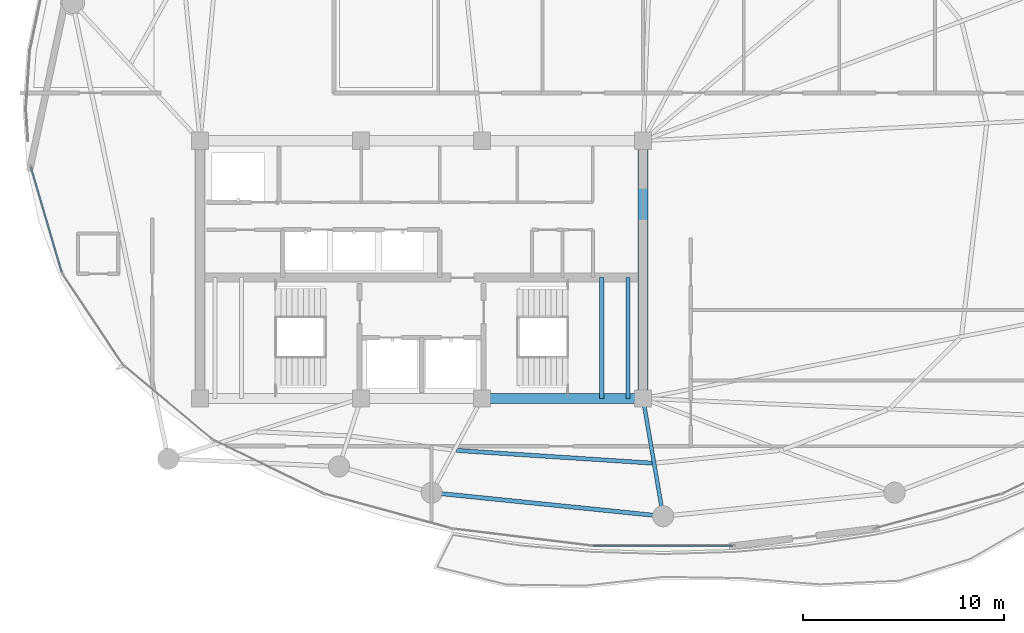
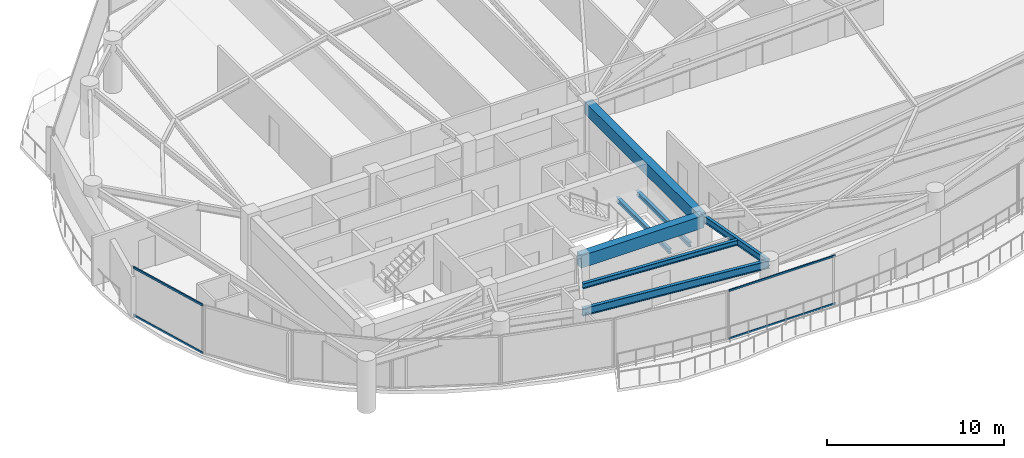
# One storey, part 6 of 28: 7 beams, 4 members, 2 elements without a shape of their own.
"""IFC4 building model written with IfcOpenShell, lengths in metres."""

from ifc_helpers import new_model, si_unit, direction, frame, origin, origin_2d, place, context, subcontext, project, spatial, rectangle, hollow_rectangle, i_section, extrude, material, layer, layer_set, material_profile, profile_set, type_object, element, aggregate, save


model = new_model("IFC4")

# Units and contexts
model_context = context("Model", 3, precision=1e-05, world=origin(), true_north=direction((0.0, 1.0)))
body_context = subcontext(model_context, "Body", "Model", "MODEL_VIEW")
ifc_project = project(units=[si_unit("LENGTHUNIT", "METRE"), si_unit("AREAUNIT", "SQUARE_METRE"), si_unit("VOLUMEUNIT", "CUBIC_METRE"), si_unit("PLANEANGLEUNIT", "RADIAN"), si_unit("MASSUNIT", "GRAM", prefix="KILO")], contexts=[model_context])

# Site, building, storey
site_placement = place(None, origin())
site = spatial("IfcSite", under=ifc_project, at=site_placement, CompositionType="ELEMENT")
building_placement = place(site_placement, origin())
building = spatial("IfcBuilding", under=site, at=building_placement, Name="Kazevale Care Tower and Concert Hall", CompositionType="ELEMENT")
storey_placement = place(building_placement, frame((0.0, 0.0, 231.60009765625)))
storey = spatial("IfcBuildingStorey", under=building, at=storey_placement, Name="L61", CompositionType="ELEMENT", Elevation=231.60009765625)

# Curtain wall, members
ifc_material_1 = material(Name="Aluminium 6063-T6 and Low-E Glass", Category="aluminium")
ifc_layer_1 = layer(ifc_material_1, 0.179931640625)
ifc_layer_set_1 = layer_set([ifc_layer_1], Name="Aluminium 6063-T6 and Low-E Glass")
curtain_wall_type_1 = type_object("IfcCurtainWallType", Name="Waist & Upper Residential Curtain Wall CW-4", PredefinedType="NOTDEFINED", material=ifc_layer_set_1)
curtain_wall_1_placement = place(storey_placement, origin())
curtain_wall_1 = element("IfcCurtainWall", 1, at=curtain_wall_1_placement, inside=storey, type_object=curtain_wall_type_1, Name="cw:L61:f12", PredefinedType="NOTDEFINED")
ifc_material_2 = material(Name="Aluminium 6063-T6", Category="aluminium")
ifc_material_profile_1 = material_profile(ifc_material_2, hollow_rectangle(XDim=0.080078125, YDim=0.139892578125, WallThickness=0.00390625, at=origin_2d()), Name="ALU80x140x4")
ifc_profile_set_1 = profile_set([ifc_material_profile_1], Name="Aluminium 6063-T6")
member_type_1 = type_object("IfcMemberType", Name="CW-4 Transom ALU80x140x4", PredefinedType="USERDEFINED", material=ifc_profile_set_1)
member_1_placement = place(storey_placement, frame((15.12548828125, 29.897705078125, 0.039794921875), z_axis=(-0.282102705943, 0.95938421047, 0.0), x_axis=(-0.95938421047, -0.282102705943, 0.0)))
member_1 = element("IfcMember", 2, at=member_1_placement, type_object=member_type_1, Name="CW-4 transom 1.1", ObjectType="TRANSOM", PredefinedType="USERDEFINED", context=body_context, shape_type="SweptSolid", body=[
    extrude(hollow_rectangle(XDim=0.080078125, YDim=0.139892578125, WallThickness=0.00390625, at=origin_2d()), origin(), (0.0, 0.0, 1.0), 5.402099609375),
])
member_2_placement = place(storey_placement, frame((15.12548828125, 29.897705078125, 3.31982421875), z_axis=(-0.282102705943, 0.95938421047, 0.0), x_axis=(-0.95938421047, -0.282102705943, 0.0)))
member_2 = element("IfcMember", 3, at=member_2_placement, type_object=member_type_1, Name="CW-4 transom 1.2", ObjectType="TRANSOM", PredefinedType="USERDEFINED", context=body_context, shape_type="SweptSolid", body=[
    extrude(hollow_rectangle(XDim=0.080078125, YDim=0.139892578125, WallThickness=0.00390625, at=origin_2d()), origin(), (0.0, 0.0, 1.0), 5.402099609375),
])
aggregate(curtain_wall_1, [member_1, member_2])

ifc_layer_2 = layer(ifc_material_1, 0.179931640625)
ifc_layer_set_2 = layer_set([ifc_layer_2], Name="Aluminium 6063-T6 and Low-E Glass")
curtain_wall_type_2 = type_object("IfcCurtainWallType", Name="Sheltered Concave Balcony Curtain Wall CW-5", PredefinedType="NOTDEFINED", material=ifc_layer_set_2)
curtain_wall_2_placement = place(storey_placement, origin())
curtain_wall_2 = element("IfcCurtainWall", 4, at=curtain_wall_2_placement, inside=storey, type_object=curtain_wall_type_2, Name="cw:L61:f06", PredefinedType="NOTDEFINED")
ifc_material_profile_2 = material_profile(ifc_material_2, hollow_rectangle(XDim=0.074951171875, YDim=0.1201171875, WallThickness=0.00390625, at=origin_2d()), Name="ALU75x120x4")
ifc_profile_set_2 = profile_set([ifc_material_profile_2], Name="Aluminium 6063-T6")
member_type_2 = type_object("IfcMemberType", Name="CW-5 Transom ALU75x120x4", PredefinedType="USERDEFINED", material=ifc_profile_set_2)
member_3_placement = place(storey_placement, frame((48.47509765625, 16.284912109375, 0.037353515625), z_axis=(-1.0, 0.0, 0.0), x_axis=(0.0, -1.0, 0.0)))
member_3 = element("IfcMember", 5, at=member_3_placement, type_object=member_type_2, Name="CW-5 transom 1.1", ObjectType="TRANSOM", PredefinedType="USERDEFINED", context=body_context, shape_type="SweptSolid", body=[
    extrude(hollow_rectangle(XDim=0.074951171875, YDim=0.1201171875, WallThickness=0.00390625, at=origin_2d()), origin(), (0.0, 0.0, 1.0), 6.9501953125),
])
member_4_placement = place(storey_placement, frame((48.47509765625, 16.284912109375, 3.322509765625), z_axis=(-1.0, 0.0, 0.0), x_axis=(0.0, -1.0, 0.0)))
member_4 = element("IfcMember", 6, at=member_4_placement, type_object=member_type_2, Name="CW-5 transom 1.2", ObjectType="TRANSOM", PredefinedType="USERDEFINED", context=body_context, shape_type="SweptSolid", body=[
    extrude(hollow_rectangle(XDim=0.074951171875, YDim=0.1201171875, WallThickness=0.00390625, at=origin_2d()), origin(), (0.0, 0.0, 1.0), 6.9501953125),
])
aggregate(curtain_wall_2, [member_3, member_4])

# Beams
ifc_material_3 = material(Name="Concrete C60", Category="concrete")
ifc_material_profile_3 = material_profile(ifc_material_3, rectangle(XDim=0.5, YDim=0.85009765625, at=origin_2d()), Name="RC-B500x850")
ifc_profile_set_3 = profile_set([ifc_material_profile_3], Name="Concrete C60")
beam_type_1 = type_object("IfcBeamType", Name="Core Coupling Beam RC500x850", PredefinedType="LINTEL", material=ifc_profile_set_3)
beam_1_placement = place(storey_placement, frame((36.0, 23.60009765625, 2.934814453125), z_axis=(1.0, 0.0, 0.0), x_axis=(0.0, 1.0, 0.0)))
element("IfcBeam", 7, at=beam_1_placement, inside=storey, type_object=beam_type_1, Name="beam:L61:coretie:3", PredefinedType="LINTEL", context=body_context, shape_type="SweptSolid", body=[
    extrude(rectangle(XDim=0.5, YDim=0.85009765625, at=origin_2d()), origin(), (0.0, 0.0, 1.0), 8.0),
])
beam_2_placement = place(storey_placement, frame((44.0, 23.60009765625, 2.934814453125), z_axis=(0.0, 1.0, 0.0), x_axis=(-1.0, 0.0, 0.0)))
element("IfcBeam", 8, at=beam_2_placement, inside=storey, type_object=beam_type_1, Name="beam:L61:coretie:4", PredefinedType="LINTEL", context=body_context, shape_type="SweptSolid", body=[
    extrude(rectangle(XDim=0.5, YDim=0.85009765625, at=origin_2d()), origin(), (0.0, 0.0, 1.0), 12.7998046875),
])
ifc_material_4 = material(Name="Steel ASTM A572 Gr 50", Category="steel")
ifc_material_profile_4 = material_profile(ifc_material_4, i_section(OverallWidth=0.19091796875, OverallDepth=0.4599609375, WebThickness=0.010009765625, FlangeThickness=0.01611328125, at=origin_2d()), Name="W460x82")
ifc_profile_set_4 = profile_set([ifc_material_profile_4], Name="Steel ASTM A572 Gr 50")
beam_type_2 = type_object("IfcBeamType", Name="Radial Floor Beam W460x82", PredefinedType="BEAM", material=ifc_profile_set_4)
beam_3_placement = place(storey_placement, frame((44.0, 23.60009765625, 3.1298828125), z_axis=(0.168493389607, -0.985702783631, 0.0), x_axis=(0.985702783631, 0.168493389607, 0.0)))
element("IfcBeam", 9, at=beam_3_placement, inside=storey, type_object=beam_type_2, Name="beam:L61:rad:13", PredefinedType="BEAM", context=body_context, shape_type="SweptSolid", body=[
    extrude(i_section(OverallWidth=0.19091796875, OverallDepth=0.4599609375, WebThickness=0.010009765625, FlangeThickness=0.01611328125, at=origin_2d()), origin(), (0.0, 0.0, 1.0), 5.93505859375),
])
ifc_material_profile_5 = material_profile(ifc_material_4, i_section(OverallWidth=0.205078125, OverallDepth=0.35400390625, WebThickness=0.009521484375, FlangeThickness=0.016845703125, at=origin_2d()), Name="W360x79")
ifc_profile_set_5 = profile_set([ifc_material_profile_5], Name="Steel ASTM A572 Gr 50")
beam_type_3 = type_object("IfcBeamType", Name="Secondary Floor Joist W360x79", PredefinedType="JOIST", material=ifc_profile_set_5)
beam_4_placement = place(storey_placement, frame((34.72998046875, 21.01904296875, 3.182861328125), z_axis=(0.997903161374, -0.064724651559, 0.0), x_axis=(0.064724651559, 0.997903161374, 0.0)))
element("IfcBeam", 10, at=beam_4_placement, inside=storey, type_object=beam_type_3, Name="beam:L61:joist:12", PredefinedType="JOIST", context=body_context, shape_type="SweptSolid", body=[
    extrude(i_section(OverallWidth=0.205078125, OverallDepth=0.35400390625, WebThickness=0.009521484375, FlangeThickness=0.016845703125, at=origin_2d()), origin(), (0.0, 0.0, 1.0), 9.735595703125),
])
ifc_material_profile_6 = material_profile(ifc_material_4, i_section(OverallWidth=0.202880859375, OverallDepth=0.302978515625, WebThickness=0.007568359375, FlangeThickness=0.01318359375, at=origin_2d()), Name="W310x60")
ifc_profile_set_6 = profile_set([ifc_material_profile_6], Name="Steel ASTM A572 Gr 50")
beam_type_4 = type_object("IfcBeamType", Name="Stair & Balcony Trimmer W310x60", PredefinedType="BEAM", material=ifc_profile_set_6)
for number, where, z_axis, x_axis, name in (
    (11, (41.949951171875, 23.60009765625, 1.448486328125), (0.0, 1.0, 0.0), (-1.0, 0.0, 0.0), "beam:L61:sttrim:ST2"),
    (12, (43.25, 23.60009765625, 1.448486328125), (0.0, 1.0, 0.0), (-1.0, 0.0, 0.0), "beam:L61:sttrim:ST2b"),
):
    element("IfcBeam", number, at=place(storey_placement, frame(where, z_axis=z_axis, x_axis=x_axis)), inside=storey, type_object=beam_type_4, Name=name, PredefinedType="BEAM", context=body_context, shape_type="SweptSolid", body=[
        extrude(i_section(OverallWidth=0.202880859375, OverallDepth=0.302978515625, WebThickness=0.007568359375, FlangeThickness=0.01318359375, at=origin_2d()), origin(), (0.0, 0.0, 1.0), 6.0),
    ])
ifc_material_profile_7 = material_profile(ifc_material_4, i_section(OverallWidth=0.208984375, OverallDepth=0.532958984375, WebThickness=0.01025390625, FlangeThickness=0.015625, at=origin_2d()), Name="W530x92")
ifc_profile_set_7 = profile_set([ifc_material_profile_7], Name="Steel ASTM A572 Gr 50")
beam_type_5 = type_object("IfcBeamType", Name="Upper Ring Beam W530x92", PredefinedType="BEAM", material=ifc_profile_set_7)
beam_5_placement = place(storey_placement, frame((33.5, 18.919921875, 3.093505859375), z_axis=(0.994865089307, -0.101209950492, 0.0), x_axis=(0.101209950492, 0.994865089307, 0.0)))
element("IfcBeam", 13, at=beam_5_placement, inside=storey, type_object=beam_type_5, Name="beam:L61:ring:12", PredefinedType="BEAM", context=body_context, shape_type="SweptSolid", body=[
    extrude(i_section(OverallWidth=0.208984375, OverallDepth=0.532958984375, WebThickness=0.01025390625, FlangeThickness=0.015625, at=origin_2d()), origin(), (0.0, 0.0, 1.0), 11.559326171875),
])

save(model, "model.ifc")
